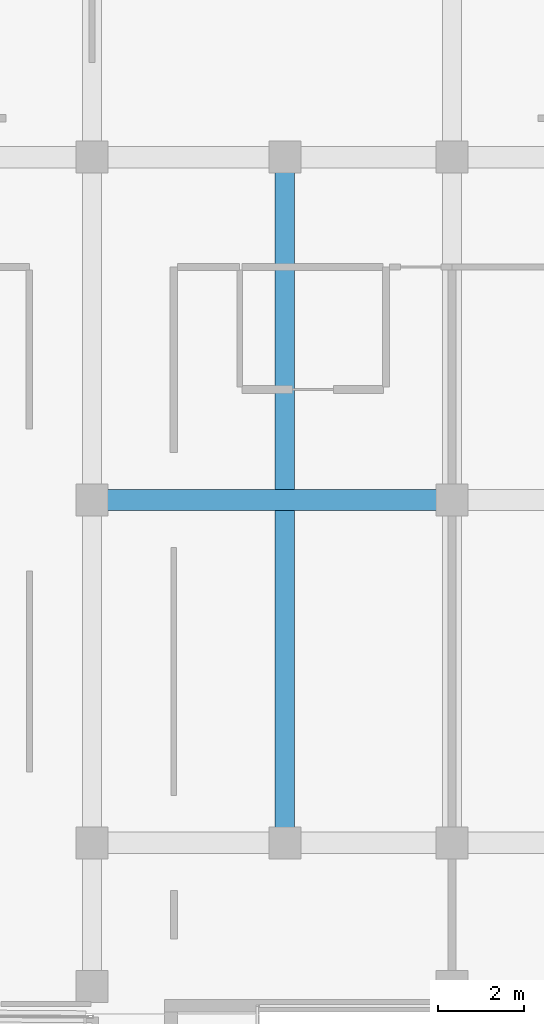
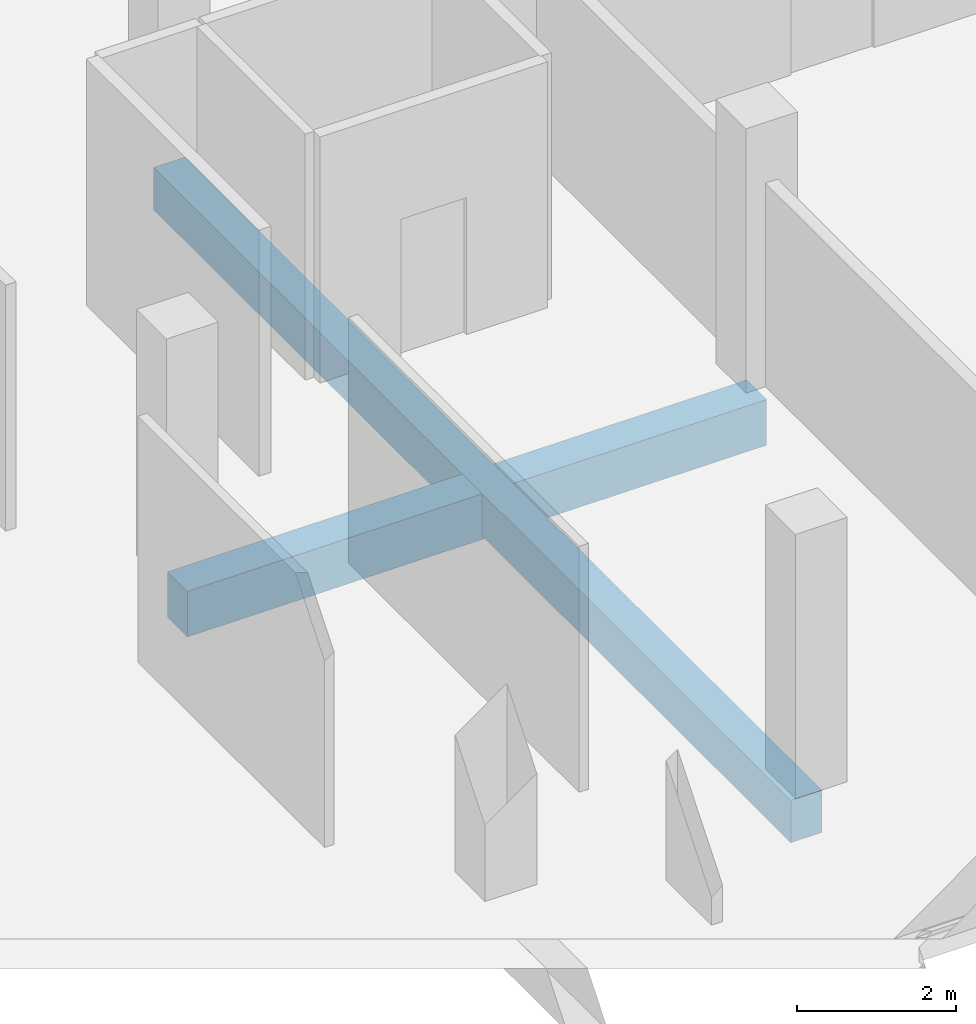
# One storey, part 26 of 101: 2 beams.
"""IFC4 building model written with IfcOpenShell, lengths in metres."""

from ifc_helpers import new_model, si_unit, direction, frame, origin, origin_2d, place, context, subcontext, project, spatial, rectangle, extrude, material, material_profile, profile_set, type_object, element, save


model = new_model("IFC4")

# Units and contexts
model_context = context("Model", 3, precision=1e-05, world=origin(), true_north=direction((0.0, 1.0)))
body_context = subcontext(model_context, "Body", "Model", "MODEL_VIEW")
ifc_project = project(units=[si_unit("LENGTHUNIT", "METRE"), si_unit("AREAUNIT", "SQUARE_METRE"), si_unit("VOLUMEUNIT", "CUBIC_METRE"), si_unit("PLANEANGLEUNIT", "RADIAN"), si_unit("MASSUNIT", "GRAM", prefix="KILO")], contexts=[model_context])

# Site, building, storey
site_placement = place(None, origin())
site = spatial("IfcSite", under=ifc_project, at=site_placement, CompositionType="ELEMENT")
building_placement = place(site_placement, origin())
building = spatial("IfcBuilding", under=site, at=building_placement, Name="Selatvlak General Hospital", CompositionType="ELEMENT")
storey_placement = place(building_placement, frame((0.0, 0.0, 19.199951171875)))
storey = spatial("IfcBuildingStorey", under=building, at=storey_placement, Name="L04", CompositionType="ELEMENT", Elevation=19.199951171875)

# Beams
ifc_material = material(Name="Concrete C40/50", Category="concrete")
ifc_material_profile_1 = material_profile(ifc_material, rectangle(XDim=0.5, YDim=0.699951171875, at=origin_2d()), Name="RC-BM 500x700")
ifc_profile_set_1 = profile_set([ifc_material_profile_1], Name="Concrete C40/50")
beam_type_1 = type_object("IfcBeamType", Name="BM-G03", PredefinedType="BEAM", material=ifc_profile_set_1)
beam_1_placement = place(storey_placement, frame((22.800048828125, 100.0, -0.655029296875), z_axis=(1.0, 0.0, 0.0), x_axis=(0.0, 1.0, 0.0)))
element("IfcBeam", 1, at=beam_1_placement, inside=storey, type_object=beam_type_1, Name="Beam BMR-L04-1578", PredefinedType="BEAM", context=body_context, shape_type="SweptSolid", body=[
    extrude(rectangle(XDim=0.5, YDim=0.699951171875, at=origin_2d()), origin(), (0.0, 0.0, 1.0), 8.39990234375),
])
ifc_material_profile_2 = material_profile(ifc_material, rectangle(XDim=0.449951171875, YDim=0.64990234375, at=origin_2d()), Name="RC-BM 450x650")
ifc_profile_set_2 = profile_set([ifc_material_profile_2], Name="Concrete C40/50")
beam_type_2 = type_object("IfcBeamType", Name="BM-G04", PredefinedType="BEAM", material=ifc_profile_set_2)
beam_2_placement = place(storey_placement, frame((27.300048828125, 92.0, -0.6298828125), z_axis=(0.0, 1.0, 0.0), x_axis=(-1.0, 0.0, 0.0)))
element("IfcBeam", 2, at=beam_2_placement, inside=storey, type_object=beam_type_2, Name="Beam BMR-L04-1648", PredefinedType="BEAM", context=body_context, shape_type="SweptSolid", body=[
    extrude(rectangle(XDim=0.449951171875, YDim=0.64990234375, at=origin_2d()), origin(), (0.0, 0.0, 1.0), 16.0),
])

save(model, "model.ifc")
